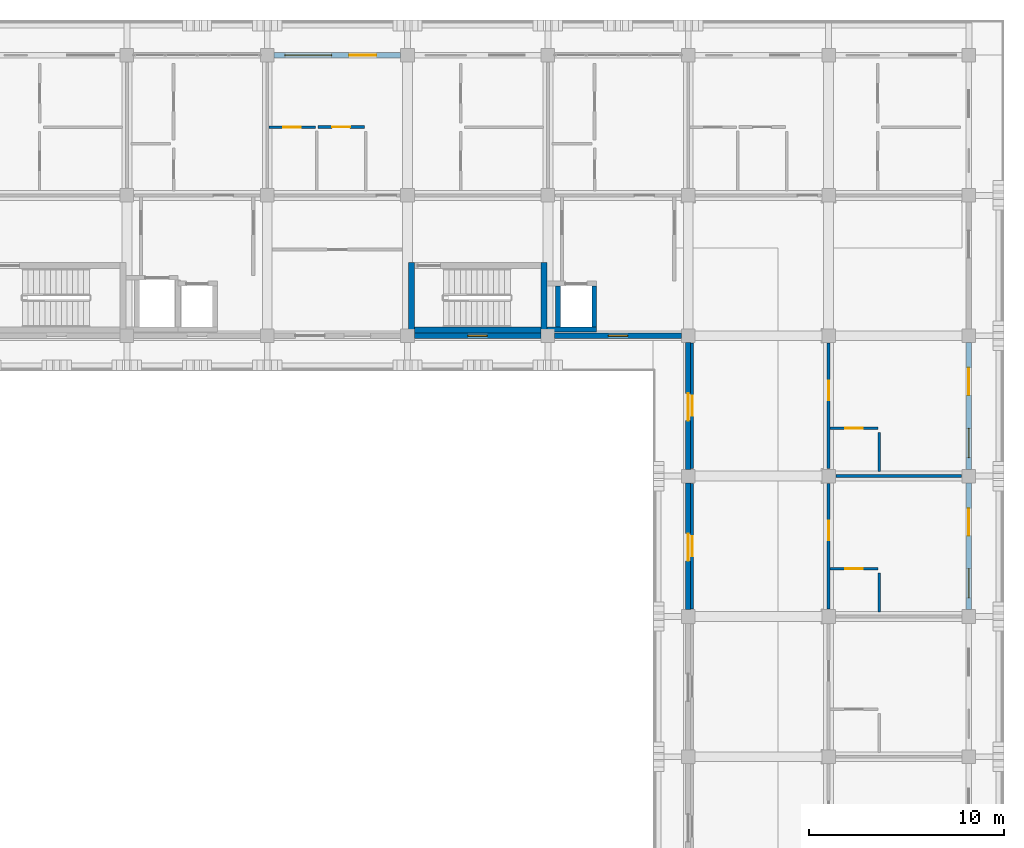
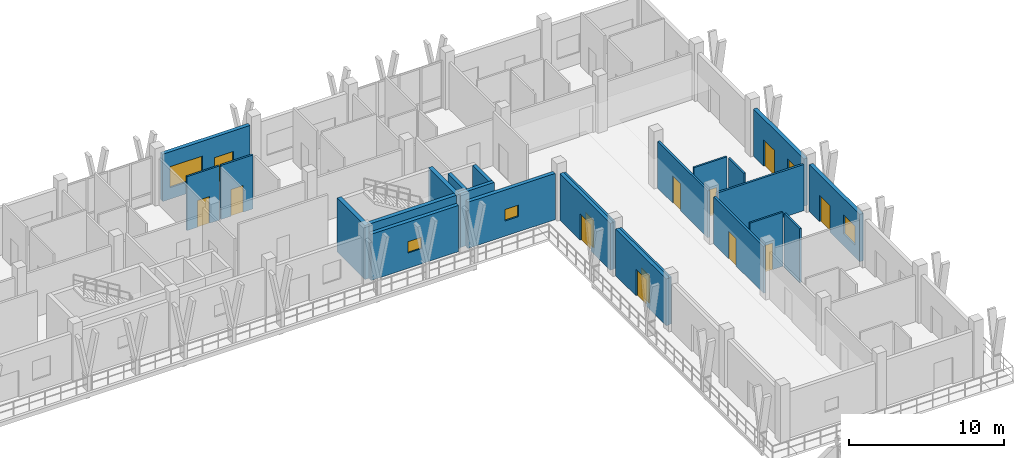
# One storey, part 89 of 110: 24 walls, 13 doors, 5 windows, 18 openings.
"""IFC4 building model written with IfcOpenShell, lengths in metres."""

from ifc_helpers import new_model, si_unit, direction, frame, frame_2d, origin, place, context, subcontext, project, spatial, rectangle, extrude, material, layer, layer_set, type_object, element, fill, save


model = new_model("IFC4")

# Units and contexts
model_context = context("Model", 3, precision=1e-05, world=origin(), true_north=direction((0.0, 1.0)))
body_context = subcontext(model_context, "Body", "Model", "MODEL_VIEW")
ifc_project = project(units=[si_unit("LENGTHUNIT", "METRE"), si_unit("AREAUNIT", "SQUARE_METRE"), si_unit("VOLUMEUNIT", "CUBIC_METRE"), si_unit("PLANEANGLEUNIT", "RADIAN"), si_unit("MASSUNIT", "GRAM", prefix="KILO")], contexts=[model_context])

# Site, building, storey
site_placement = place(None, origin())
site = spatial("IfcSite", under=ifc_project, at=site_placement, CompositionType="ELEMENT")
building_placement = place(site_placement, origin())
building = spatial("IfcBuilding", under=site, at=building_placement, Name="Suanplinth Sawtooth Commons", CompositionType="ELEMENT")
storey_placement = place(building_placement, frame((0.0, 0.0, 4.5)))
storey = spatial("IfcBuildingStorey", under=building, at=storey_placement, Name="L01", CompositionType="ELEMENT", Elevation=4.5)

# Walls
ifc_material_1 = material(Name="Concrete C40/50", Category="concrete")
ifc_layer_1 = layer(ifc_material_1, 0.300048828125, Name="Standard RC stair and lift core wall 300mm")
ifc_layer_set_1 = layer_set([ifc_layer_1], Name="Concrete C40/50")
wall_type_1 = type_object("IfcWallType", Name="W-CR02", PredefinedType="SHEAR", material=ifc_layer_set_1)
wall_1_placement = place(storey_placement, frame((158.75, 108.300048828125, 0.0), z_axis=(0.0, 0.0, 1.0), x_axis=(1.0, 0.0, 0.0)))
element("IfcWall", 1, at=wall_1_placement, inside=storey, type_object=wall_type_1, Name="W-L01-C-B2-STS", PredefinedType="SHEAR", context=body_context, shape_type="SweptSolid", body=[
    extrude(rectangle(XDim=6.5, YDim=0.300048828125, at=frame_2d((3.25, 0.0))), origin(), (0.0, 0.0, 1.0), 4.25),
])
for number, where, z_axis, x_axis, name in (
    (2, (158.60009765625, 108.14990234375, 0.0), (0.0, 0.0, 1.0), (0.0, 1.0, 0.0), "W-L01-C-B2-STW"),
    (3, (165.39990234375, 108.14990234375, 0.0), (0.0, 0.0, 1.0), (0.0, 1.0, 0.0), "W-L01-C-B2-STE"),
):
    element("IfcWall", number, at=place(storey_placement, frame(where, z_axis=z_axis, x_axis=x_axis)), inside=storey, type_object=wall_type_1, Name=name, PredefinedType="SHEAR", context=body_context, shape_type="SweptSolid", body=[
        extrude(rectangle(XDim=3.60009765625, YDim=0.300048828125, at=frame_2d((1.800048828125, 0.0))), origin(), (0.0, 0.0, 1.0), 4.25),
    ])

# Wall, openings, door, window
ifc_material_2 = material(Name="Precast concrete C40/50", Category="concrete")
ifc_layer_2 = layer(ifc_material_2, 0.280029296875, Name="Insulated precast architectural facade wall 280mm")
ifc_layer_set_2 = layer_set([ifc_layer_2], Name="Precast concrete C40/50")
wall_type_2 = type_object("IfcWallType", Name="W-EX01", PredefinedType="ELEMENTEDWALL", material=ifc_layer_set_2)
wall_2_placement = place(storey_placement, frame((151.550048828125, 122.39990234375, 0.0), z_axis=(0.0, 0.0, 1.0), x_axis=(1.0, 0.0, 0.0)))
wall_2 = element("IfcWall", 4, at=wall_2_placement, inside=storey, type_object=wall_type_2, Name="Facade Wall W-L01-B-N-21-16", PredefinedType="ELEMENTEDWALL", context=body_context, shape_type="SweptSolid", body=[
    extrude(rectangle(XDim=6.5, YDim=0.280029296875, at=frame_2d((3.25, 0.0))), origin(), (0.0, 0.0, 1.0), 3.715087890625),
])
opening_1_placement = place(wall_2_placement, frame((3.85009765625, 0.0, 0.0)))
opening_1 = element("IfcOpeningElement", 5, at=opening_1_placement, cuts=wall_2, Name="Opening ED0072", PredefinedType="OPENING", context=body_context, shape_type="SweptSolid", body=[
    extrude(rectangle(XDim=1.39990234375, YDim=2.10009765625, at=frame_2d((0.699951171875, 1.050048828125))), frame((0.0, 0.15478515625, 0.0), z_axis=(0.0, -1.0, 0.0), x_axis=(1.0, 0.0, 0.0)), (0.0, 0.0, 1.0), 0.309814453125),
])
opening_2_placement = place(wall_2_placement, frame((0.550048828125, 0.0, 0.89990234375)))
opening_2 = element("IfcOpeningElement", 6, at=opening_2_placement, cuts=wall_2, Name="Opening W0196", PredefinedType="OPENING", context=body_context, shape_type="SweptSolid", body=[
    extrude(rectangle(XDim=2.39990234375, YDim=1.64990234375, at=frame_2d((1.199951171875, 0.824951171875))), frame((0.0, 0.15478515625, 0.0), z_axis=(0.0, -1.0, 0.0), x_axis=(1.0, 0.0, 0.0)), (0.0, 0.0, 1.0), 0.309814453125),
])
ifc_material_3 = material(Name="Anodized aluminium and low-E glass", Category="aluminium")
door_type_1 = type_object("IfcDoorType", Name="SD-07", OperationType="SLIDING_TO_RIGHT", PredefinedType="DOOR", material=ifc_material_3)
door_1_placement = place(opening_1_placement, frame((1.39990234375, 0.0, 0.0), z_axis=(0.0, 0.0, 1.0), x_axis=(-1.0, 0.0, 0.0)))
door_1 = element("IfcDoor", 7, at=door_1_placement, inside=storey, type_object=door_type_1, Name="Balcony Sliding Door L01-B-21", OperationType="SLIDING_TO_RIGHT", OverallHeight=2.10009765625, OverallWidth=1.39990234375, PredefinedType="DOOR", context=body_context, shape_type="SweptSolid", body=[
    extrude(rectangle(XDim=1.39990234375, YDim=2.10009765625, at=frame_2d((0.699951171875, 1.050048828125))), frame((0.0, 0.02490234375, 0.0), z_axis=(0.0, -1.0, 0.0), x_axis=(1.0, 0.0, 0.0)), (0.0, 0.0, 1.0), 0.050048828125),
])
fill(opening_1, door_1)
ifc_material_4 = material(Name="Thermally broken aluminium and low-E double glazing", Category="aluminium")
window_type_1 = type_object("IfcWindowType", Name="WN-05", PartitioningType="TRIPLE_PANEL_VERTICAL", PredefinedType="WINDOW", material=ifc_material_4)
window_1_placement = place(opening_2_placement, origin())
window_1 = element("IfcWindow", 8, at=window_1_placement, inside=storey, type_object=window_type_1, Name="Apartment Window L01-B-21", OverallHeight=1.64990234375, OverallWidth=2.39990234375, PartitioningType="TRIPLE_PANEL_VERTICAL", PredefinedType="WINDOW", context=body_context, shape_type="SweptSolid", body=[
    extrude(rectangle(XDim=2.39990234375, YDim=1.64990234375, at=frame_2d((1.199951171875, 0.824951171875))), frame((0.0, 0.030029296875, 0.0), z_axis=(0.0, -1.0, 0.0), x_axis=(1.0, 0.0, 0.0)), (0.0, 0.0, 1.0), 0.06005859375),
])
fill(opening_2, window_1)

# Wall, opening, window
wall_3_placement = place(storey_placement, frame((158.75, 108.0, 0.0), z_axis=(0.0, 0.0, 1.0), x_axis=(1.0, 0.0, 0.0)))
wall_3 = element("IfcWall", 9, at=wall_3_placement, inside=storey, type_object=wall_type_2, Name="Facade Wall W-L01-B-S-22-15", PredefinedType="ELEMENTEDWALL", context=body_context, shape_type="SweptSolid", body=[
    extrude(rectangle(XDim=6.5, YDim=0.280029296875, at=frame_2d((3.25, 0.0))), origin(), (0.0, 0.0, 1.0), 3.635009765625),
])
opening_3_placement = place(wall_3_placement, frame((2.75, 0.0, 1.199951171875)))
opening_3 = element("IfcOpeningElement", 10, at=opening_3_placement, cuts=wall_3, Name="Opening W0197", PredefinedType="OPENING", context=body_context, shape_type="SweptSolid", body=[
    extrude(rectangle(XDim=1.0, YDim=0.89990234375, at=frame_2d((0.5, 0.449951171875))), frame((0.0, 0.15478515625, 0.0), z_axis=(0.0, -1.0, 0.0), x_axis=(1.0, 0.0, 0.0)), (0.0, 0.0, 1.0), 0.309814453125),
])
window_type_2 = type_object("IfcWindowType", Name="WN-12", PartitioningType="SINGLE_PANEL", PredefinedType="WINDOW", material=ifc_material_4)
window_2_placement = place(opening_3_placement, origin())
window_2 = element("IfcWindow", 11, at=window_2_placement, inside=storey, type_object=window_type_2, Name="Core Daylight Window L01-B-22-15", OverallHeight=0.89990234375, OverallWidth=1.0, PartitioningType="SINGLE_PANEL", PredefinedType="WINDOW", context=body_context, shape_type="SweptSolid", body=[
    extrude(rectangle(XDim=1.0, YDim=0.89990234375, at=frame_2d((0.5, 0.449951171875))), frame((0.0, 0.030029296875, 0.0), z_axis=(0.0, -1.0, 0.0), x_axis=(1.0, 0.0, 0.0)), (0.0, 0.0, 1.0), 0.06005859375),
])
fill(opening_3, window_2)

wall_4_placement = place(storey_placement, frame((165.949951171875, 108.0, 0.0), z_axis=(0.0, 0.0, 1.0), x_axis=(1.0, 0.0, 0.0)))
wall_4 = element("IfcWall", 12, at=wall_4_placement, inside=storey, type_object=wall_type_2, Name="Facade Wall W-L01-B-S-23-15", PredefinedType="ELEMENTEDWALL", context=body_context, shape_type="SweptSolid", body=[
    extrude(rectangle(XDim=6.5, YDim=0.280029296875, at=frame_2d((3.25, 0.0))), origin(), (0.0, 0.0, 1.0), 3.635009765625),
])
opening_4_placement = place(wall_4_placement, frame((2.75, 0.0, 1.199951171875)))
opening_4 = element("IfcOpeningElement", 13, at=opening_4_placement, cuts=wall_4, Name="Opening W0199", PredefinedType="OPENING", context=body_context, shape_type="SweptSolid", body=[
    extrude(rectangle(XDim=1.0, YDim=0.89990234375, at=frame_2d((0.5, 0.449951171875))), frame((0.0, 0.15478515625, 0.0), z_axis=(0.0, -1.0, 0.0), x_axis=(1.0, 0.0, 0.0)), (0.0, 0.0, 1.0), 0.309814453125),
])
window_3_placement = place(opening_4_placement, origin())
window_3 = element("IfcWindow", 14, at=window_3_placement, inside=storey, type_object=window_type_2, Name="Core Daylight Window L01-B-23-15", OverallHeight=0.89990234375, OverallWidth=1.0, PartitioningType="SINGLE_PANEL", PredefinedType="WINDOW", context=body_context, shape_type="SweptSolid", body=[
    extrude(rectangle(XDim=1.0, YDim=0.89990234375, at=frame_2d((0.5, 0.449951171875))), frame((0.0, 0.030029296875, 0.0), z_axis=(0.0, -1.0, 0.0), x_axis=(1.0, 0.0, 0.0)), (0.0, 0.0, 1.0), 0.06005859375),
])
fill(opening_4, window_3)

# Wall, opening, door
wall_5_placement = place(storey_placement, frame((172.800048828125, 93.949951171875, 0.0), z_axis=(0.0, 0.0, 1.0), x_axis=(0.0, 1.0, 0.0)))
wall_5 = element("IfcWall", 15, at=wall_5_placement, inside=storey, type_object=wall_type_2, Name="Facade Wall W-L01-B-W-24-13", PredefinedType="ELEMENTEDWALL", context=body_context, shape_type="SweptSolid", body=[
    extrude(rectangle(XDim=6.5, YDim=0.280029296875, at=frame_2d((3.25, 0.0))), origin(), (0.0, 0.0, 1.0), 3.68505859375),
])
opening_5_placement = place(wall_5_placement, frame((2.5, 0.0, 0.0)))
opening_5 = element("IfcOpeningElement", 16, at=opening_5_placement, cuts=wall_5, Name="Opening ED0076", PredefinedType="OPENING", context=body_context, shape_type="SweptSolid", body=[
    extrude(rectangle(XDim=1.39990234375, YDim=2.10009765625, at=frame_2d((0.699951171875, 1.050048828125))), frame((0.0, 0.15478515625, 0.0), z_axis=(0.0, -1.0, 0.0), x_axis=(1.0, 0.0, 0.0)), (0.0, 0.0, 1.0), 0.309814453125),
])
door_2_placement = place(opening_5_placement, frame((1.39990234375, 0.0, 0.0), z_axis=(0.0, 0.0, 1.0), x_axis=(-1.0, 0.0, 0.0)))
door_2 = element("IfcDoor", 17, at=door_2_placement, inside=storey, type_object=door_type_1, Name="Courtyard Veranda Studio Balcony Door L01-B-13", OperationType="SLIDING_TO_RIGHT", OverallHeight=2.10009765625, OverallWidth=1.39990234375, PredefinedType="DOOR", context=body_context, shape_type="SweptSolid", body=[
    extrude(rectangle(XDim=1.39990234375, YDim=2.10009765625, at=frame_2d((0.699951171875, 1.050048828125))), frame((0.0, 0.02490234375, 0.0), z_axis=(0.0, -1.0, 0.0), x_axis=(1.0, 0.0, 0.0)), (0.0, 0.0, 1.0), 0.050048828125),
])
fill(opening_5, door_2)

wall_6_placement = place(storey_placement, frame((172.800048828125, 101.14990234375, 0.0), z_axis=(0.0, 0.0, 1.0), x_axis=(0.0, 1.0, 0.0)))
wall_6 = element("IfcWall", 18, at=wall_6_placement, inside=storey, type_object=wall_type_2, Name="Facade Wall W-L01-B-W-24-14", PredefinedType="ELEMENTEDWALL", context=body_context, shape_type="SweptSolid", body=[
    extrude(rectangle(XDim=6.5, YDim=0.280029296875, at=frame_2d((3.25, 0.0))), origin(), (0.0, 0.0, 1.0), 3.68505859375),
])
opening_6_placement = place(wall_6_placement, frame((2.5, 0.0, 0.0)))
opening_6 = element("IfcOpeningElement", 19, at=opening_6_placement, cuts=wall_6, Name="Opening ED0077", PredefinedType="OPENING", context=body_context, shape_type="SweptSolid", body=[
    extrude(rectangle(XDim=1.39990234375, YDim=2.10009765625, at=frame_2d((0.699951171875, 1.050048828125))), frame((0.0, 0.15478515625, 0.0), z_axis=(0.0, -1.0, 0.0), x_axis=(1.0, 0.0, 0.0)), (0.0, 0.0, 1.0), 0.309814453125),
])
door_3_placement = place(opening_6_placement, frame((1.39990234375, 0.0, 0.0), z_axis=(0.0, 0.0, 1.0), x_axis=(-1.0, 0.0, 0.0)))
door_3 = element("IfcDoor", 20, at=door_3_placement, inside=storey, type_object=door_type_1, Name="Courtyard Veranda Studio Balcony Door L01-B-14", OperationType="SLIDING_TO_RIGHT", OverallHeight=2.10009765625, OverallWidth=1.39990234375, PredefinedType="DOOR", context=body_context, shape_type="SweptSolid", body=[
    extrude(rectangle(XDim=1.39990234375, YDim=2.10009765625, at=frame_2d((0.699951171875, 1.050048828125))), frame((0.0, 0.02490234375, 0.0), z_axis=(0.0, -1.0, 0.0), x_axis=(1.0, 0.0, 0.0)), (0.0, 0.0, 1.0), 0.050048828125),
])
fill(opening_6, door_3)

# Wall, openings, door, window
wall_7_placement = place(storey_placement, frame((187.199951171875, 93.949951171875, 0.0), z_axis=(0.0, 0.0, 1.0), x_axis=(0.0, 1.0, 0.0)))
wall_7 = element("IfcWall", 21, at=wall_7_placement, inside=storey, type_object=wall_type_2, Name="Facade Wall W-L01-B-E-25-13", PredefinedType="ELEMENTEDWALL", context=body_context, shape_type="SweptSolid", body=[
    extrude(rectangle(XDim=6.5, YDim=0.280029296875, at=frame_2d((3.25, 0.0))), origin(), (0.0, 0.0, 1.0), 3.715087890625),
])
opening_7_placement = place(wall_7_placement, frame((3.800048828125, 0.0, 0.0)))
opening_7 = element("IfcOpeningElement", 22, at=opening_7_placement, cuts=wall_7, Name="Opening ED0082", PredefinedType="OPENING", context=body_context, shape_type="SweptSolid", body=[
    extrude(rectangle(XDim=1.39990234375, YDim=2.10009765625, at=frame_2d((0.699951171875, 1.050048828125))), frame((0.0, 0.15478515625, 0.0), z_axis=(0.0, -1.0, 0.0), x_axis=(1.0, 0.0, 0.0)), (0.0, 0.0, 1.0), 0.309814453125),
])
opening_8_placement = place(wall_7_placement, frame((0.60009765625, 0.0, 0.949951171875)))
opening_8 = element("IfcOpeningElement", 23, at=opening_8_placement, cuts=wall_7, Name="Opening W0204", PredefinedType="OPENING", context=body_context, shape_type="SweptSolid", body=[
    extrude(rectangle(XDim=1.5, YDim=1.5, at=frame_2d((0.75, 0.75))), frame((0.0, 0.15478515625, 0.0), z_axis=(0.0, -1.0, 0.0), x_axis=(1.0, 0.0, 0.0)), (0.0, 0.0, 1.0), 0.309814453125),
])
door_4_placement = place(opening_7_placement, frame((1.39990234375, 0.0, 0.0), z_axis=(0.0, 0.0, 1.0), x_axis=(-1.0, 0.0, 0.0)))
door_4 = element("IfcDoor", 24, at=door_4_placement, inside=storey, type_object=door_type_1, Name="Wing Balcony Sliding Door L01-B-13", OperationType="SLIDING_TO_RIGHT", OverallHeight=2.10009765625, OverallWidth=1.39990234375, PredefinedType="DOOR", context=body_context, shape_type="SweptSolid", body=[
    extrude(rectangle(XDim=1.39990234375, YDim=2.10009765625, at=frame_2d((0.699951171875, 1.050048828125))), frame((0.0, 0.02490234375, 0.0), z_axis=(0.0, -1.0, 0.0), x_axis=(1.0, 0.0, 0.0)), (0.0, 0.0, 1.0), 0.050048828125),
])
fill(opening_7, door_4)
window_type_3 = type_object("IfcWindowType", Name="WN-02", PartitioningType="DOUBLE_PANEL_VERTICAL", PredefinedType="WINDOW", material=ifc_material_4)
window_4_placement = place(opening_8_placement, origin())
window_4 = element("IfcWindow", 25, at=window_4_placement, inside=storey, type_object=window_type_3, Name="Wing Window L01-B-13", OverallHeight=1.5, OverallWidth=1.5, PartitioningType="DOUBLE_PANEL_VERTICAL", PredefinedType="WINDOW", context=body_context, shape_type="SweptSolid", body=[
    extrude(rectangle(XDim=1.5, YDim=1.5, at=frame_2d((0.75, 0.75))), frame((0.0, 0.030029296875, 0.0), z_axis=(0.0, -1.0, 0.0), x_axis=(1.0, 0.0, 0.0)), (0.0, 0.0, 1.0), 0.06005859375),
])
fill(opening_8, window_4)

wall_8_placement = place(storey_placement, frame((187.199951171875, 101.14990234375, 0.0), z_axis=(0.0, 0.0, 1.0), x_axis=(0.0, 1.0, 0.0)))
wall_8 = element("IfcWall", 26, at=wall_8_placement, inside=storey, type_object=wall_type_2, Name="Facade Wall W-L01-B-E-25-14", PredefinedType="ELEMENTEDWALL", context=body_context, shape_type="SweptSolid", body=[
    extrude(rectangle(XDim=6.5, YDim=0.280029296875, at=frame_2d((3.25, 0.0))), origin(), (0.0, 0.0, 1.0), 3.715087890625),
])
opening_9_placement = place(wall_8_placement, frame((3.800048828125, 0.0, 0.0)))
opening_9 = element("IfcOpeningElement", 27, at=opening_9_placement, cuts=wall_8, Name="Opening ED0083", PredefinedType="OPENING", context=body_context, shape_type="SweptSolid", body=[
    extrude(rectangle(XDim=1.39990234375, YDim=2.10009765625, at=frame_2d((0.699951171875, 1.050048828125))), frame((0.0, 0.15478515625, 0.0), z_axis=(0.0, -1.0, 0.0), x_axis=(1.0, 0.0, 0.0)), (0.0, 0.0, 1.0), 0.309814453125),
])
opening_10_placement = place(wall_8_placement, frame((0.60009765625, 0.0, 0.949951171875)))
opening_10 = element("IfcOpeningElement", 28, at=opening_10_placement, cuts=wall_8, Name="Opening W0205", PredefinedType="OPENING", context=body_context, shape_type="SweptSolid", body=[
    extrude(rectangle(XDim=1.5, YDim=1.5, at=frame_2d((0.75, 0.75))), frame((0.0, 0.15478515625, 0.0), z_axis=(0.0, -1.0, 0.0), x_axis=(1.0, 0.0, 0.0)), (0.0, 0.0, 1.0), 0.309814453125),
])
door_5_placement = place(opening_9_placement, frame((1.39990234375, 0.0, 0.0), z_axis=(0.0, 0.0, 1.0), x_axis=(-1.0, 0.0, 0.0)))
door_5 = element("IfcDoor", 29, at=door_5_placement, inside=storey, type_object=door_type_1, Name="Wing Balcony Sliding Door L01-B-14", OperationType="SLIDING_TO_RIGHT", OverallHeight=2.10009765625, OverallWidth=1.39990234375, PredefinedType="DOOR", context=body_context, shape_type="SweptSolid", body=[
    extrude(rectangle(XDim=1.39990234375, YDim=2.10009765625, at=frame_2d((0.699951171875, 1.050048828125))), frame((0.0, 0.02490234375, 0.0), z_axis=(0.0, -1.0, 0.0), x_axis=(1.0, 0.0, 0.0)), (0.0, 0.0, 1.0), 0.050048828125),
])
fill(opening_9, door_5)
window_5_placement = place(opening_10_placement, origin())
window_5 = element("IfcWindow", 30, at=window_5_placement, inside=storey, type_object=window_type_3, Name="Wing Window L01-B-14", OverallHeight=1.5, OverallWidth=1.5, PartitioningType="DOUBLE_PANEL_VERTICAL", PredefinedType="WINDOW", context=body_context, shape_type="SweptSolid", body=[
    extrude(rectangle(XDim=1.5, YDim=1.5, at=frame_2d((0.75, 0.75))), frame((0.0, 0.030029296875, 0.0), z_axis=(0.0, -1.0, 0.0), x_axis=(1.0, 0.0, 0.0)), (0.0, 0.0, 1.0), 0.06005859375),
])
fill(opening_10, window_5)

# Wall, opening, door
ifc_layer_3 = layer(ifc_material_2, 0.159912109375, Name="Fire-rated corridor and lobby wall 160mm")
ifc_layer_set_3 = layer_set([ifc_layer_3], Name="Precast concrete C40/50")
wall_type_3 = type_object("IfcWallType", Name="W-FW01", PredefinedType="PARTITIONING", material=ifc_layer_set_3)
wall_9_placement = place(storey_placement, frame((180.0, 93.97998046875, 0.0), z_axis=(0.0, 0.0, 1.0), x_axis=(0.0, 1.0, 0.0)))
wall_9 = element("IfcWall", 31, at=wall_9_placement, inside=storey, type_object=wall_type_3, Name="W-B-L01-L03-COR", PredefinedType="PARTITIONING", context=body_context, shape_type="SweptSolid", body=[
    extrude(rectangle(XDim=6.43994140625, YDim=0.159912109375, at=frame_2d((3.219970703125, 0.0))), origin(), (0.0, 0.0, 1.0), 3.68505859375),
])
opening_11_placement = place(wall_9_placement, frame((3.52001953125, 0.0, 0.0)))
opening_11 = element("IfcOpeningElement", 32, at=opening_11_placement, cuts=wall_9, Name="Opening FD0610", PredefinedType="OPENING", context=body_context, shape_type="SweptSolid", body=[
    extrude(rectangle(XDim=1.0, YDim=2.14990234375, at=frame_2d((0.5, 1.074951171875))), frame((0.0, 0.0947265625, 0.0), z_axis=(0.0, -1.0, 0.0), x_axis=(1.0, 0.0, 0.0)), (0.0, 0.0, 1.0), 0.189697265625),
])
ifc_material_5 = material(Name="Teak hardwood fire-rated door assembly", Category="wood")
door_type_2 = type_object("IfcDoorType", Name="FD-03", OperationType="NOTDEFINED", PredefinedType="DOOR", material=ifc_material_5)
door_6_placement = place(opening_11_placement, frame((1.0, 0.0, 0.0), z_axis=(0.0, 0.0, 1.0), x_axis=(-1.0, 0.0, 0.0)))
door_6 = element("IfcDoor", 33, at=door_6_placement, inside=storey, type_object=door_type_2, Name="Wing Unit Entrance Door FD0610", OperationType="SINGLE_SWING_RIGHT", OverallHeight=2.14990234375, OverallWidth=1.0, PredefinedType="DOOR", context=body_context, shape_type="SweptSolid", body=[
    extrude(rectangle(XDim=1.0, YDim=2.14990234375, at=frame_2d((0.5, 1.074951171875))), frame((0.0, 0.02490234375, 0.0), z_axis=(0.0, -1.0, 0.0), x_axis=(1.0, 0.0, 0.0)), (0.0, 0.0, 1.0), 0.050048828125),
])
fill(opening_11, door_6)

wall_10_placement = place(storey_placement, frame((173.0, 93.97998046875, 0.0), z_axis=(0.0, 0.0, 1.0), x_axis=(0.0, 1.0, 0.0)))
wall_10 = element("IfcWall", 34, at=wall_10_placement, inside=storey, type_object=wall_type_3, Name="W-B-L01-LEGCOURTROOM-39-COR", PredefinedType="PARTITIONING", context=body_context, shape_type="SweptSolid", body=[
    extrude(rectangle(XDim=6.43994140625, YDim=0.159912109375, at=frame_2d((3.219970703125, 0.0))), origin(), (0.0, 0.0, 1.0), 3.68505859375),
])
opening_12_placement = place(wall_10_placement, frame((2.7099609375, 0.0, 0.0)))
opening_12 = element("IfcOpeningElement", 35, at=opening_12_placement, cuts=wall_10, Name="Opening D0612", PredefinedType="OPENING", context=body_context, shape_type="SweptSolid", body=[
    extrude(rectangle(XDim=1.02001953125, YDim=2.179931640625, at=frame_2d((0.510009765625, 1.08984375))), frame((0.0, 0.0947265625, 0.0), z_axis=(0.0, -1.0, 0.0), x_axis=(1.0, 0.0, 0.0)), (0.0, 0.0, 1.0), 0.189697265625),
])
ifc_material_6 = material(Name="Teak hardwood", Category="wood")
door_type_3 = type_object("IfcDoorType", Name="D-16", OperationType="NOTDEFINED", PredefinedType="DOOR", material=ifc_material_6)
door_7_placement = place(opening_12_placement, origin())
door_7 = element("IfcDoor", 36, at=door_7_placement, inside=storey, type_object=door_type_3, Name="Veranda Studio Door D0612", OperationType="SINGLE_SWING_RIGHT", OverallHeight=2.179931640625, OverallWidth=1.02001953125, PredefinedType="DOOR", context=body_context, shape_type="SweptSolid", body=[
    extrude(rectangle(XDim=1.02001953125, YDim=2.179931640625, at=frame_2d((0.510009765625, 1.08984375))), frame((0.0, 0.02490234375, 0.0), z_axis=(0.0, -1.0, 0.0), x_axis=(1.0, 0.0, 0.0)), (0.0, 0.0, 1.0), 0.050048828125),
])
fill(opening_12, door_7)

wall_11_placement = place(storey_placement, frame((180.0, 101.179931640625, 0.0), z_axis=(0.0, 0.0, 1.0), x_axis=(0.0, 1.0, 0.0)))
wall_11 = element("IfcWall", 37, at=wall_11_placement, inside=storey, type_object=wall_type_3, Name="W-B-L01-L04-COR", PredefinedType="PARTITIONING", context=body_context, shape_type="SweptSolid", body=[
    extrude(rectangle(XDim=6.440185546875, YDim=0.159912109375, at=frame_2d((3.22021484375, 0.0))), origin(), (0.0, 0.0, 1.0), 3.68505859375),
])
opening_13_placement = place(wall_11_placement, frame((3.52001953125, 0.0, 0.0)))
opening_13 = element("IfcOpeningElement", 38, at=opening_13_placement, cuts=wall_11, Name="Opening FD0613", PredefinedType="OPENING", context=body_context, shape_type="SweptSolid", body=[
    extrude(rectangle(XDim=1.0, YDim=2.14990234375, at=frame_2d((0.5, 1.074951171875))), frame((0.0, 0.0947265625, 0.0), z_axis=(0.0, -1.0, 0.0), x_axis=(1.0, 0.0, 0.0)), (0.0, 0.0, 1.0), 0.189697265625),
])
door_8_placement = place(opening_13_placement, frame((1.0, 0.0, 0.0), z_axis=(0.0, 0.0, 1.0), x_axis=(-1.0, 0.0, 0.0)))
door_8 = element("IfcDoor", 39, at=door_8_placement, inside=storey, type_object=door_type_2, Name="Wing Unit Entrance Door FD0613", OperationType="SINGLE_SWING_LEFT", OverallHeight=2.14990234375, OverallWidth=1.0, PredefinedType="DOOR", context=body_context, shape_type="SweptSolid", body=[
    extrude(rectangle(XDim=1.0, YDim=2.14990234375, at=frame_2d((0.5, 1.074951171875))), frame((0.0, 0.02490234375, 0.0), z_axis=(0.0, -1.0, 0.0), x_axis=(1.0, 0.0, 0.0)), (0.0, 0.0, 1.0), 0.050048828125),
])
fill(opening_13, door_8)

wall_12_placement = place(storey_placement, frame((173.0, 101.179931640625, 0.0), z_axis=(0.0, 0.0, 1.0), x_axis=(0.0, 1.0, 0.0)))
wall_12 = element("IfcWall", 40, at=wall_12_placement, inside=storey, type_object=wall_type_3, Name="W-B-L01-LEGCOURTROOM-41-COR", PredefinedType="PARTITIONING", context=body_context, shape_type="SweptSolid", body=[
    extrude(rectangle(XDim=6.440185546875, YDim=0.159912109375, at=frame_2d((3.22021484375, 0.0))), origin(), (0.0, 0.0, 1.0), 3.68505859375),
])
opening_14_placement = place(wall_12_placement, frame((2.7099609375, 0.0, 0.0)))
opening_14 = element("IfcOpeningElement", 41, at=opening_14_placement, cuts=wall_12, Name="Opening D0615", PredefinedType="OPENING", context=body_context, shape_type="SweptSolid", body=[
    extrude(rectangle(XDim=1.02001953125, YDim=2.179931640625, at=frame_2d((0.510009765625, 1.08984375))), frame((0.0, 0.0947265625, 0.0), z_axis=(0.0, -1.0, 0.0), x_axis=(1.0, 0.0, 0.0)), (0.0, 0.0, 1.0), 0.189697265625),
])
door_9_placement = place(opening_14_placement, origin())
door_9 = element("IfcDoor", 42, at=door_9_placement, inside=storey, type_object=door_type_3, Name="Veranda Studio Door D0615", OperationType="SINGLE_SWING_LEFT", OverallHeight=2.179931640625, OverallWidth=1.02001953125, PredefinedType="DOOR", context=body_context, shape_type="SweptSolid", body=[
    extrude(rectangle(XDim=1.02001953125, YDim=2.179931640625, at=frame_2d((0.510009765625, 1.08984375))), frame((0.0, 0.02490234375, 0.0), z_axis=(0.0, -1.0, 0.0), x_axis=(1.0, 0.0, 0.0)), (0.0, 0.0, 1.0), 0.050048828125),
])
fill(opening_14, door_9)

# Wall
ifc_layer_4 = layer(ifc_material_2, 0.14990234375, Name="Acoustic precast party demising wall 150mm")
ifc_layer_set_4 = layer_set([ifc_layer_4], Name="Precast concrete C40/50")
wall_type_4 = type_object("IfcWallType", Name="W-FW02", PredefinedType="PARTITIONING", material=ifc_layer_set_4)
wall_13_placement = place(storey_placement, frame((180.3798828125, 100.800048828125, 0.0), z_axis=(0.0, 0.0, 1.0), x_axis=(1.0, 0.0, 0.0)))
element("IfcWall", 43, at=wall_13_placement, inside=storey, type_object=wall_type_4, Name="W-B-L01-L03-PTY", PredefinedType="PARTITIONING", context=body_context, shape_type="SweptSolid", body=[
    extrude(rectangle(XDim=6.440185546875, YDim=0.14990234375, at=frame_2d((3.22021484375, 0.0))), origin(), (0.0, 0.0, 1.0), 3.635009765625),
])

# Wall, opening, door
ifc_material_7 = material(Name="Gypsum plasterboard on steel stud", Category="steel")
ifc_layer_5 = layer(ifc_material_7, 0.139892578125, Name="Fire-rated kitchen partition 140mm")
ifc_layer_set_5 = layer_set([ifc_layer_5], Name="Gypsum plasterboard on steel stud")
wall_type_5 = type_object("IfcWallType", Name="W-PT01", PredefinedType="PARTITIONING", material=ifc_layer_set_5)
wall_14_placement = place(storey_placement, frame((153.800048828125, 118.7099609375, 0.0), z_axis=(0.0, 0.0, 1.0), x_axis=(1.0, 0.0, 0.0)))
wall_14 = element("IfcWall", 44, at=wall_14_placement, inside=storey, type_object=wall_type_5, Name="W-B-L01-U04-KIT1", PredefinedType="PARTITIONING", context=body_context, shape_type="SweptSolid", body=[
    extrude(rectangle(XDim=2.3798828125, YDim=0.139892578125, at=frame_2d((1.18994140625, 0.0))), origin(), (0.0, 0.0, 1.0), 4.25),
])
opening_15_placement = place(wall_14_placement, frame((0.72998046875, 0.0, 0.0)))
opening_15 = element("IfcOpeningElement", 45, at=opening_15_placement, cuts=wall_14, Name="Opening D0590", PredefinedType="OPENING", context=body_context, shape_type="SweptSolid", body=[
    extrude(rectangle(XDim=0.919921875, YDim=2.10009765625, at=frame_2d((0.4599609375, 1.050048828125))), frame((0.0, 0.0849609375, 0.0), z_axis=(0.0, -1.0, 0.0), x_axis=(1.0, 0.0, 0.0)), (0.0, 0.0, 1.0), 0.169677734375),
])
door_type_4 = type_object("IfcDoorType", Name="D-02", OperationType="NOTDEFINED", PredefinedType="DOOR", material=ifc_material_6)
door_10_placement = place(opening_15_placement, frame((0.919921875, 0.0, 0.0), z_axis=(0.0, 0.0, 1.0), x_axis=(-1.0, 0.0, 0.0)))
door_10 = element("IfcDoor", 46, at=door_10_placement, inside=storey, type_object=door_type_4, Name="Kitchen Door D0590", OperationType="SINGLE_SWING_RIGHT", OverallHeight=2.10009765625, OverallWidth=0.919921875, PredefinedType="DOOR", context=body_context, shape_type="SweptSolid", body=[
    extrude(rectangle(XDim=0.919921875, YDim=2.10009765625, at=frame_2d((0.4599609375, 1.050048828125))), frame((0.0, 0.02490234375, 0.0), z_axis=(0.0, -1.0, 0.0), x_axis=(1.0, 0.0, 0.0)), (0.0, 0.0, 1.0), 0.050048828125),
])
fill(opening_15, door_10)

ifc_layer_6 = layer(ifc_material_7, 0.1298828125, Name="Moisture-resistant bathroom partition 130mm")
ifc_layer_set_6 = layer_set([ifc_layer_6], Name="Gypsum plasterboard on steel stud")
wall_type_6 = type_object("IfcWallType", Name="W-PT02", PredefinedType="PARTITIONING", material=ifc_layer_set_6)
wall_15_placement = place(storey_placement, frame((151.280029296875, 118.705078125, 0.0), z_axis=(0.0, 0.0, 1.0), x_axis=(1.0, 0.0, 0.0)))
wall_15 = element("IfcWall", 47, at=wall_15_placement, inside=storey, type_object=wall_type_6, Name="W-B-L01-U04-BTH1", PredefinedType="PARTITIONING", context=body_context, shape_type="SweptSolid", body=[
    extrude(rectangle(XDim=2.39990234375, YDim=0.1298828125, at=frame_2d((1.199951171875, 0.0))), origin(), (0.0, 0.0, 1.0), 4.25),
])
opening_16_placement = place(wall_15_placement, frame((0.75, 0.0, 0.0)))
opening_16 = element("IfcOpeningElement", 48, at=opening_16_placement, cuts=wall_15, Name="Opening D0589", PredefinedType="OPENING", context=body_context, shape_type="SweptSolid", body=[
    extrude(rectangle(XDim=0.89990234375, YDim=2.10009765625, at=frame_2d((0.449951171875, 1.050048828125))), frame((0.0, 0.079833984375, 0.0), z_axis=(0.0, -1.0, 0.0), x_axis=(1.0, 0.0, 0.0)), (0.0, 0.0, 1.0), 0.15966796875),
])
door_type_5 = type_object("IfcDoorType", Name="D-01", OperationType="NOTDEFINED", PredefinedType="DOOR", material=ifc_material_6)
door_11_placement = place(opening_16_placement, frame((0.89990234375, 0.0, 0.0), z_axis=(0.0, 0.0, 1.0), x_axis=(-1.0, 0.0, 0.0)))
door_11 = element("IfcDoor", 49, at=door_11_placement, inside=storey, type_object=door_type_5, Name="Bathroom Door D0589", OperationType="SINGLE_SWING_LEFT", OverallHeight=2.10009765625, OverallWidth=0.89990234375, PredefinedType="DOOR", context=body_context, shape_type="SweptSolid", body=[
    extrude(rectangle(XDim=0.89990234375, YDim=2.10009765625, at=frame_2d((0.449951171875, 1.050048828125))), frame((0.0, 0.02490234375, 0.0), z_axis=(0.0, -1.0, 0.0), x_axis=(1.0, 0.0, 0.0)), (0.0, 0.0, 1.0), 0.050048828125),
])
fill(opening_16, door_11)

wall_16_placement = place(storey_placement, frame((180.080078125, 96.044921875, 0.0), z_axis=(0.0, 0.0, 1.0), x_axis=(1.0, 0.0, 0.0)))
wall_16 = element("IfcWall", 50, at=wall_16_placement, inside=storey, type_object=wall_type_6, Name="W-B-L01-L03-BTH1", PredefinedType="PARTITIONING", context=body_context, shape_type="SweptSolid", body=[
    extrude(rectangle(XDim=2.449951171875, YDim=0.1298828125, at=frame_2d((1.22509765625, 0.0))), origin(), (0.0, 0.0, 1.0), 4.25),
])
opening_17_placement = place(wall_16_placement, frame((0.77490234375, 0.0, 0.0)))
opening_17 = element("IfcOpeningElement", 51, at=opening_17_placement, cuts=wall_16, Name="Opening D0611", PredefinedType="OPENING", context=body_context, shape_type="SweptSolid", body=[
    extrude(rectangle(XDim=0.89990234375, YDim=2.10009765625, at=frame_2d((0.449951171875, 1.050048828125))), frame((0.0, 0.079833984375, 0.0), z_axis=(0.0, -1.0, 0.0), x_axis=(1.0, 0.0, 0.0)), (0.0, 0.0, 1.0), 0.15966796875),
])
door_12_placement = place(opening_17_placement, frame((0.89990234375, 0.0, 0.0), z_axis=(0.0, 0.0, 1.0), x_axis=(-1.0, 0.0, 0.0)))
door_12 = element("IfcDoor", 52, at=door_12_placement, inside=storey, type_object=door_type_5, Name="Bathroom Door D0611", OperationType="SINGLE_SWING_LEFT", OverallHeight=2.10009765625, OverallWidth=0.89990234375, PredefinedType="DOOR", context=body_context, shape_type="SweptSolid", body=[
    extrude(rectangle(XDim=0.89990234375, YDim=2.10009765625, at=frame_2d((0.449951171875, 1.050048828125))), frame((0.0, 0.02490234375, 0.0), z_axis=(0.0, -1.0, 0.0), x_axis=(1.0, 0.0, 0.0)), (0.0, 0.0, 1.0), 0.050048828125),
])
fill(opening_17, door_12)

# Wall
wall_17_placement = place(storey_placement, frame((182.594970703125, 93.830078125, 0.0), z_axis=(0.0, 0.0, 1.0), x_axis=(0.0, 1.0, 0.0)))
element("IfcWall", 53, at=wall_17_placement, inside=storey, type_object=wall_type_6, Name="W-B-L01-L03-BTH2", PredefinedType="PARTITIONING", context=body_context, shape_type="SweptSolid", body=[
    extrude(rectangle(XDim=2.0, YDim=0.1298828125, at=frame_2d((1.0, 0.0))), origin(), (0.0, 0.0, 1.0), 4.25),
])

# Wall, opening, door
wall_18_placement = place(storey_placement, frame((180.080078125, 103.2451171875, 0.0), z_axis=(0.0, 0.0, 1.0), x_axis=(1.0, 0.0, 0.0)))
wall_18 = element("IfcWall", 54, at=wall_18_placement, inside=storey, type_object=wall_type_6, Name="W-B-L01-L04-BTH1", PredefinedType="PARTITIONING", context=body_context, shape_type="SweptSolid", body=[
    extrude(rectangle(XDim=2.449951171875, YDim=0.1298828125, at=frame_2d((1.22509765625, 0.0))), origin(), (0.0, 0.0, 1.0), 4.25),
])
opening_18_placement = place(wall_18_placement, frame((0.77490234375, 0.0, 0.0)))
opening_18 = element("IfcOpeningElement", 55, at=opening_18_placement, cuts=wall_18, Name="Opening D0614", PredefinedType="OPENING", context=body_context, shape_type="SweptSolid", body=[
    extrude(rectangle(XDim=0.89990234375, YDim=2.10009765625, at=frame_2d((0.449951171875, 1.050048828125))), frame((0.0, 0.079833984375, 0.0), z_axis=(0.0, -1.0, 0.0), x_axis=(1.0, 0.0, 0.0)), (0.0, 0.0, 1.0), 0.15966796875),
])
door_13_placement = place(opening_18_placement, frame((0.89990234375, 0.0, 0.0), z_axis=(0.0, 0.0, 1.0), x_axis=(-1.0, 0.0, 0.0)))
door_13 = element("IfcDoor", 56, at=door_13_placement, inside=storey, type_object=door_type_5, Name="Bathroom Door D0614", OperationType="SINGLE_SWING_RIGHT", OverallHeight=2.10009765625, OverallWidth=0.89990234375, PredefinedType="DOOR", context=body_context, shape_type="SweptSolid", body=[
    extrude(rectangle(XDim=0.89990234375, YDim=2.10009765625, at=frame_2d((0.449951171875, 1.050048828125))), frame((0.0, 0.02490234375, 0.0), z_axis=(0.0, -1.0, 0.0), x_axis=(1.0, 0.0, 0.0)), (0.0, 0.0, 1.0), 0.050048828125),
])
fill(opening_18, door_13)

# Walls
wall_19_placement = place(storey_placement, frame((182.594970703125, 101.030029296875, 0.0), z_axis=(0.0, 0.0, 1.0), x_axis=(0.0, 1.0, 0.0)))
element("IfcWall", 57, at=wall_19_placement, inside=storey, type_object=wall_type_6, Name="W-B-L01-L04-BTH2", PredefinedType="PARTITIONING", context=body_context, shape_type="SweptSolid", body=[
    extrude(rectangle(XDim=2.0, YDim=0.1298828125, at=frame_2d((1.0, 0.0))), origin(), (0.0, 0.0, 1.0), 4.25),
])
ifc_layer_7 = layer(ifc_material_2, 0.25, Name="Precast structural shear wall 250mm")
ifc_layer_set_7 = layer_set([ifc_layer_7], Name="Precast concrete C40/50")
wall_type_7 = type_object("IfcWallType", Name="W-SH01", PredefinedType="SHEAR", material=ifc_layer_set_7)
wall_20_placement = place(storey_placement, frame((165.550048828125, 108.324951171875, 0.0), z_axis=(0.0, 0.0, 1.0), x_axis=(1.0, 0.0, 0.0)))
element("IfcWall", 58, at=wall_20_placement, inside=storey, type_object=wall_type_7, Name="W-L01-LF4-S", PredefinedType="SHEAR", context=body_context, shape_type="SweptSolid", body=[
    extrude(rectangle(XDim=2.550048828125, YDim=0.25, at=frame_2d((1.27490234375, 0.0))), origin(), (0.0, 0.0, 1.0), 4.25),
])
for number, where, z_axis, x_axis, name in (
    (59, (166.125, 108.449951171875, 0.0), (0.0, 0.0, 1.0), (0.0, 1.0, 0.0), "W-L01-LF4-W"),
    (60, (167.97509765625, 108.449951171875, 0.0), (0.0, 0.0, 1.0), (0.0, 1.0, 0.0), "W-L01-LF4-E"),
):
    element("IfcWall", number, at=place(storey_placement, frame(where, z_axis=z_axis, x_axis=x_axis)), inside=storey, type_object=wall_type_7, Name=name, PredefinedType="SHEAR", context=body_context, shape_type="SweptSolid", body=[
        extrude(rectangle(XDim=2.10009765625, YDim=0.25, at=frame_2d((1.050048828125, 0.0))), origin(), (0.0, 0.0, 1.0), 4.25),
    ])

save(model, "model.ifc")
